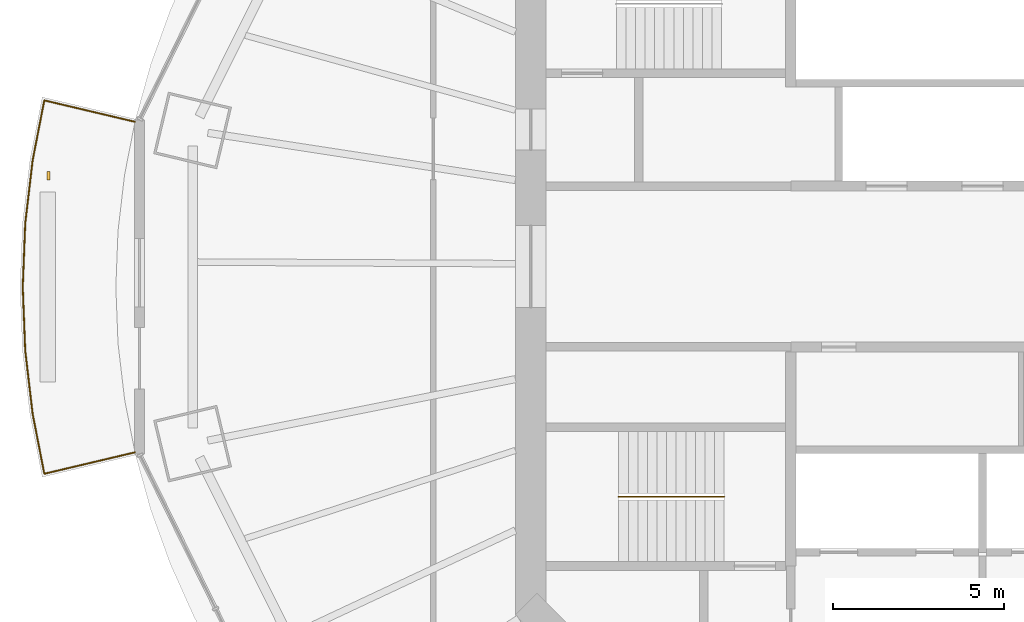
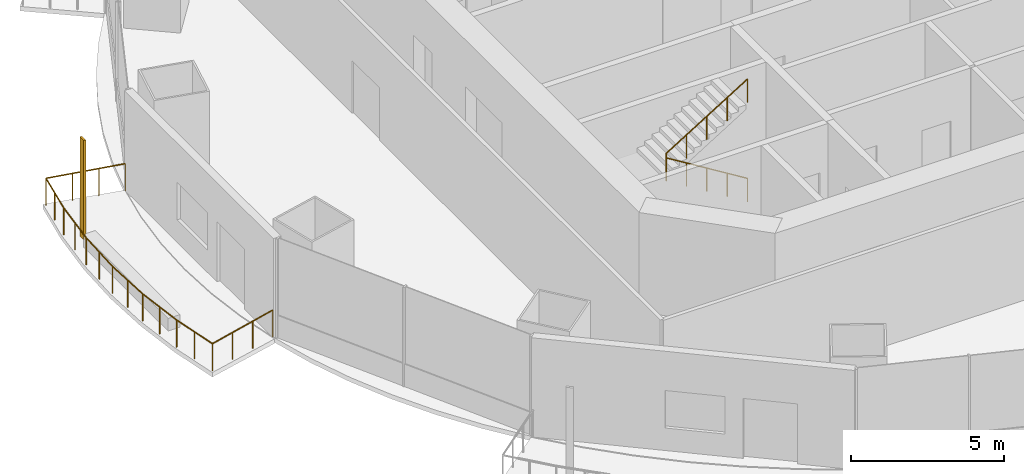
# One storey, part 15 of 19: 2 railings, 1 shading device.
"""IFC4 building model written with IfcOpenShell, lengths in metres."""

from ifc_helpers import new_model, si_unit, direction, frame, origin, origin_2d, place, context, subcontext, project, spatial, rectangle, circle, extrude, material, material_profile, profile_set, type_object, element, save


model = new_model("IFC4")

# Units and contexts
model_context = context("Model", 3, precision=1e-05, world=origin(), true_north=direction((0.0, 1.0)))
body_context = subcontext(model_context, "Body", "Model", "MODEL_VIEW")
ifc_project = project(units=[si_unit("LENGTHUNIT", "METRE"), si_unit("AREAUNIT", "SQUARE_METRE"), si_unit("VOLUMEUNIT", "CUBIC_METRE"), si_unit("PLANEANGLEUNIT", "RADIAN"), si_unit("MASSUNIT", "GRAM", prefix="KILO")], contexts=[model_context])

# Site, building, storey
site_placement = place(None, origin())
site = spatial("IfcSite", under=ifc_project, at=site_placement, CompositionType="ELEMENT")
building_placement = place(site_placement, origin())
building = spatial("IfcBuilding", under=site, at=building_placement, Name="Marenthal Gate Tower", CompositionType="ELEMENT")
storey_placement = place(building_placement, frame((0.0, 0.0, 256.5)))
storey = spatial("IfcBuildingStorey", under=building, at=storey_placement, Name="L57", CompositionType="ELEMENT", Elevation=256.5)

# Railings
ifc_material_1 = material(Name="Stainless steel", Category="steel")
railing_type_1 = type_object("IfcRailingType", Name="Balcony guard 1100", PredefinedType="GUARDRAIL", material=ifc_material_1)
railing_1_placement = place(storey_placement, frame((-27.56640625, -5.429443359375, 0.0)))
element("IfcRailing", 1, at=railing_1_placement, inside=storey, type_object=railing_type_1, Name="Balcony guard L57 bay 8", PredefinedType="GUARDRAIL", context=body_context, shape_type="SweptSolid", body=[
    extrude(circle(Radius=0.02392578125, at=origin_2d()), frame((0.0, 0.0, 1.076171875), z_axis=(-0.973072245699, -0.230029899071, -0.014719041532), x_axis=(0.23005482113, -0.97317767097, 0.0)), (0.0, 0.0, 1.0), 2.72021484375),
    extrude(circle(Radius=0.02392578125, at=origin_2d()), frame((-2.64697265625, -0.625732421875, 1.0361328125), z_axis=(-0.19100882276, 0.981588319831, 0.0), x_axis=(-0.981588319831, -0.19100882276, 0.0)), (0.0, 0.0, 1.0), 1.784423828125),
    extrude(circle(Radius=0.02392578125, at=origin_2d()), frame((-2.98779296875, 1.125732421875, 1.0361328125), z_axis=(-0.116437567729, 0.993198012896, 0.0), x_axis=(-0.993198012896, -0.116437567729, 0.0)), (0.0, 0.0, 1.0), 1.85986328125),
    extrude(circle(Radius=0.02392578125, at=origin_2d()), frame((-3.204345703125, 2.972900390625, 1.0361328125), z_axis=(-0.038897421074, 0.999243208951, 0.0), x_axis=(-0.999243208951, -0.038897421074, 0.0)), (0.0, 0.0, 1.0), 1.85791015625),
    extrude(circle(Radius=0.02392578125, at=origin_2d()), frame((-3.276611328125, 4.829345703125, 1.0361328125), z_axis=(0.038897421074, 0.999243208951, 0.0), x_axis=(-0.999243208951, 0.038897421074, 0.0)), (0.0, 0.0, 1.0), 1.85791015625),
    extrude(circle(Radius=0.02392578125, at=origin_2d()), frame((-3.204345703125, 6.685791015625, 1.0361328125), z_axis=(0.116422388761, 0.993199792285, 0.0), x_axis=(-0.993199792285, 0.116422388761, 0.0)), (0.0, 0.0, 1.0), 1.860107421875),
    extrude(circle(Radius=0.02392578125, at=origin_2d()), frame((-2.98779296875, 8.533203125, 1.0361328125), z_axis=(0.19100882276, 0.981588319831, 0.0), x_axis=(-0.981588319831, 0.19100882276, 0.0)), (0.0, 0.0, 1.0), 1.784423828125),
    extrude(circle(Radius=0.02392578125, at=origin_2d()), frame((-2.64697265625, 10.28466796875, 1.0361328125), z_axis=(0.973072245699, -0.230029899071, 0.014719041532), x_axis=(0.23005482113, 0.97317767097, 0.0)), (0.0, 0.0, 1.0), 2.72021484375),
    extrude(circle(Radius=0.02099609375, at=origin_2d()), origin(), (0.0, 0.0, 1.0), 1.052001953125),
    extrude(circle(Radius=0.02099609375, at=origin_2d()), frame((-0.88232421875, -0.20849609375, -0.013427734375)), (0.0, 0.0, 1.0), 1.052001953125),
    extrude(circle(Radius=0.02099609375, at=origin_2d()), frame((-1.7646484375, -0.417236328125, -0.026611328125)), (0.0, 0.0, 1.0), 1.052001953125),
    extrude(circle(Radius=0.02099609375, at=origin_2d()), frame((-2.64697265625, -0.625732421875, -0.0400390625)), (0.0, 0.0, 1.0), 1.052001953125),
    extrude(circle(Radius=0.02099609375, at=origin_2d()), frame((-2.8173828125, 0.25, -0.0400390625)), (0.0, 0.0, 1.0), 1.052001953125),
    extrude(circle(Radius=0.02099609375, at=origin_2d()), frame((-2.98779296875, 1.125732421875, -0.0400390625)), (0.0, 0.0, 1.0), 1.052001953125),
    extrude(circle(Radius=0.02099609375, at=origin_2d()), frame((-3.09619140625, 2.04931640625, -0.0400390625)), (0.0, 0.0, 1.0), 1.052001953125),
    extrude(circle(Radius=0.02099609375, at=origin_2d()), frame((-3.204345703125, 2.972900390625, -0.0400390625)), (0.0, 0.0, 1.0), 1.052001953125),
    extrude(circle(Radius=0.02099609375, at=origin_2d()), frame((-3.240478515625, 3.901123046875, -0.0400390625)), (0.0, 0.0, 1.0), 1.052001953125),
    extrude(circle(Radius=0.02099609375, at=origin_2d()), frame((-3.276611328125, 4.829345703125, -0.0400390625)), (0.0, 0.0, 1.0), 1.052001953125),
    extrude(circle(Radius=0.02099609375, at=origin_2d()), frame((-3.240478515625, 5.757568359375, -0.0400390625)), (0.0, 0.0, 1.0), 1.052001953125),
    extrude(circle(Radius=0.02099609375, at=origin_2d()), frame((-3.204345703125, 6.685791015625, -0.0400390625)), (0.0, 0.0, 1.0), 1.052001953125),
    extrude(circle(Radius=0.02099609375, at=origin_2d()), frame((-3.09619140625, 7.609375, -0.0400390625)), (0.0, 0.0, 1.0), 1.052001953125),
    extrude(circle(Radius=0.02099609375, at=origin_2d()), frame((-2.98779296875, 8.533203125, -0.0400390625)), (0.0, 0.0, 1.0), 1.052001953125),
    extrude(circle(Radius=0.02099609375, at=origin_2d()), frame((-2.8173828125, 9.408935546875, -0.0400390625)), (0.0, 0.0, 1.0), 1.052001953125),
    extrude(circle(Radius=0.02099609375, at=origin_2d()), frame((-2.64697265625, 10.28466796875, -0.0400390625)), (0.0, 0.0, 1.0), 1.052001953125),
    extrude(circle(Radius=0.02099609375, at=origin_2d()), frame((-1.7646484375, 10.076171875, -0.026611328125)), (0.0, 0.0, 1.0), 1.052001953125),
    extrude(circle(Radius=0.02099609375, at=origin_2d()), frame((-0.88232421875, 9.867431640625, -0.013427734375)), (0.0, 0.0, 1.0), 1.052001953125),
    extrude(circle(Radius=0.02099609375, at=origin_2d()), frame((0.0, 9.658935546875, 0.0)), (0.0, 0.0, 1.0), 1.052001953125),
])
ifc_material_2 = material(Name="Stainless steel", Category="steel")
railing_type_2 = type_object("IfcRailingType", Name="Stair handrail", PredefinedType="HANDRAIL", material=ifc_material_2)
railing_2_placement = place(storey_placement, frame((-10.35009765625, -6.72509765625, 0.1728515625)))
element("IfcRailing", 2, at=railing_2_placement, inside=storey, type_object=railing_type_2, Name="Handrail ST2", PredefinedType="HANDRAIL", context=body_context, shape_type="SweptSolid", body=[
    extrude(circle(Radius=0.0224609375, at=origin_2d()), frame((0.0, 0.0, 0.927490234375), z_axis=(-0.850816621229, 0.0, 0.525462726595), x_axis=(0.0, -1.0, 0.0)), (0.0, 0.0, 1.0), 3.619873046875),
    extrude(circle(Radius=0.0224609375, at=origin_2d()), frame((-3.079833984375, 0.0, 2.82958984375), z_axis=(0.0, 0.0, 1.0), x_axis=(1.0, 0.0, 0.0)), (0.0, 0.0, 1.0), 0.1728515625),
    extrude(circle(Radius=0.0224609375, at=origin_2d()), frame((-3.079833984375, 0.0, 3.00244140625), z_axis=(0.850816621229, 0.0, 0.525462726595), x_axis=(0.0, 1.0, 0.0)), (0.0, 0.0, 1.0), 3.619873046875),
    extrude(circle(Radius=0.02001953125, at=origin_2d()), origin(), (0.0, 0.0, 1.0), 0.905029296875),
    extrude(circle(Radius=0.02001953125, at=origin_2d()), frame((-0.77001953125, 0.0, 0.4755859375)), (0.0, 0.0, 1.0), 0.905029296875),
    extrude(circle(Radius=0.02001953125, at=origin_2d()), frame((-1.5400390625, 0.0, 0.951171875)), (0.0, 0.0, 1.0), 0.905029296875),
    extrude(circle(Radius=0.02001953125, at=origin_2d()), frame((-2.309814453125, 0.0, 1.426513671875)), (0.0, 0.0, 1.0), 0.905029296875),
    extrude(circle(Radius=0.02001953125, at=origin_2d()), frame((-3.079833984375, 0.0, 1.902099609375)), (0.0, 0.0, 1.0), 0.905029296875),
    extrude(circle(Radius=0.02001953125, at=origin_2d()), frame((-3.079833984375, 0.0, 2.074951171875)), (0.0, 0.0, 1.0), 0.905029296875),
    extrude(circle(Radius=0.02001953125, at=origin_2d()), frame((-2.309814453125, 0.0, 2.550537109375)), (0.0, 0.0, 1.0), 0.905029296875),
    extrude(circle(Radius=0.02001953125, at=origin_2d()), frame((-1.5400390625, 0.0, 3.02587890625)), (0.0, 0.0, 1.0), 0.905029296875),
    extrude(circle(Radius=0.02001953125, at=origin_2d()), frame((-0.77001953125, 0.0, 3.50146484375)), (0.0, 0.0, 1.0), 0.905029296875),
    extrude(circle(Radius=0.02001953125, at=origin_2d()), frame((0.0, 0.0, 3.97705078125)), (0.0, 0.0, 1.0), 0.905029296875),
])

# Shading device
ifc_material_3 = material(Name="Terracotta", Category="masonry")
ifc_material_profile = material_profile(ifc_material_3, rectangle(XDim=0.25, YDim=0.080078125, at=origin_2d()), Name="Terracotta baguette 250x80")
ifc_profile_set = profile_set([ifc_material_profile], Name="Terracotta")
shading_device_type = type_object("IfcShadingDeviceType", Name="Terracotta BAGUETTE SCREEN 250x80", PredefinedType="USERDEFINED", material=ifc_profile_set)
shading_device_placement = place(storey_placement, frame((-30.091064453125, 2.652099609375, -0.0400390625), z_axis=(0.0, 0.0, 1.0), x_axis=(0.0, -1.0, 0.0)))
element("IfcShadingDevice", 3, at=shading_device_placement, inside=storey, type_object=shading_device_type, Name="Terracotta BAGUETTE L57 bay 8L", ObjectType="BAGUETTE SCREEN", PredefinedType="USERDEFINED", context=body_context, shape_type="SweptSolid", body=[
    extrude(rectangle(XDim=0.25, YDim=0.080078125, at=origin_2d()), origin(), (0.0, 0.0, 1.0), 3.969970703125),
])

save(model, "model.ifc")
